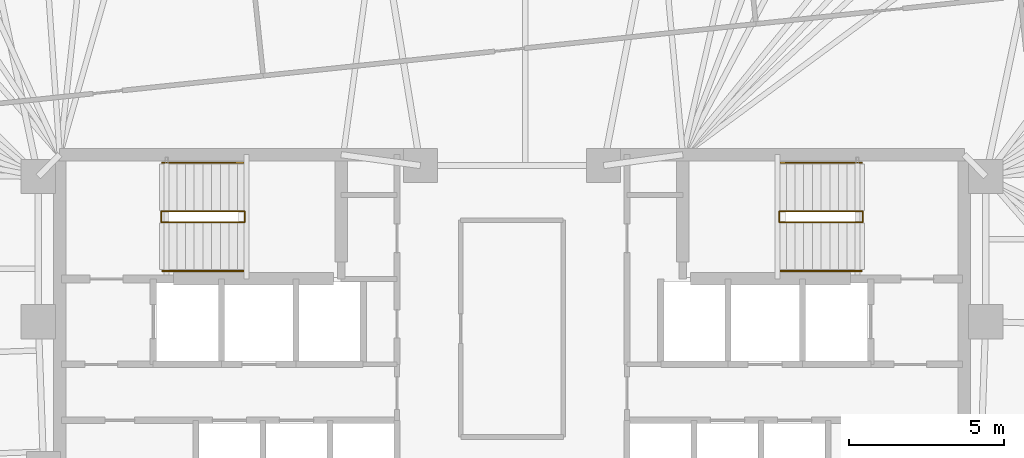
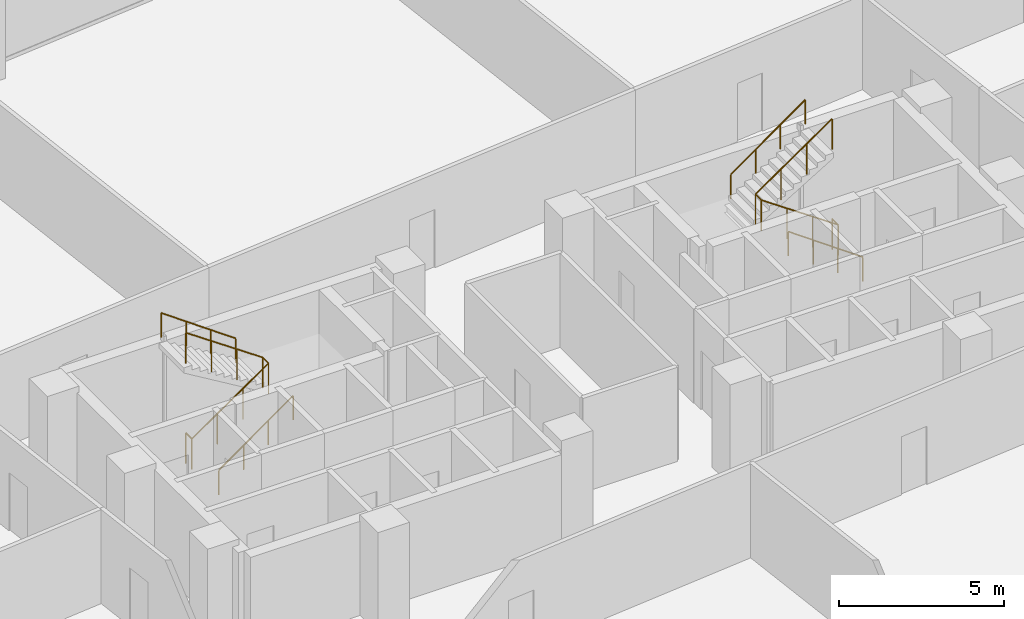
# One storey, part 18 of 18: 6 railings.
"""IFC4 building model written with IfcOpenShell, lengths in metres."""

import ifcopenshell
import ifcopenshell.guid

model = None  # the IFC model being written
_history = None  # IfcOwnerHistory: only IFC2X3 demands one
_inside = {}  # id of a spatial element -> (the spatial element, [elements in it])
_under = {}  # id of a project, library or spatial element -> (it, [spatial elements below it])
_declared = {}  # id of a project -> (the project, [libraries it declares])
_typed = {}  # id of a type object -> (the type object, [elements of that type])
_made_of = {}  # id of a material, layer set ... -> (it, [elements and type objects made of it])


def new_model(schema):
    """Start an empty IFC model of exactly this schema.

    Asked for "IFC4X3", IfcOpenShell would pick the latest addendum, in which some entities
    have other attributes; the version numbers below select the first issue.
    IFC2X3 requires an IfcOwnerHistory on every rooted entity: one is made here for all.
    """
    global model, _history
    if schema == "IFC4X3":
        model = ifcopenshell.file(schema_version=(4, 3, 0, 0))
    else:
        model = ifcopenshell.file(schema=schema)
    _inside.clear()
    _under.clear()
    _declared.clear()
    _typed.clear()
    _made_of.clear()
    _history = None
    if model.schema == "IFC2X3":
        org = make("IfcOrganization", Name="unknown")
        user = make(
            "IfcPersonAndOrganization",
            ThePerson=make("IfcPerson", FamilyName="unknown"),
            TheOrganization=org,
        )
        app = make(
            "IfcApplication",
            ApplicationDeveloper=org,
            Version="unknown",
            ApplicationFullName="unknown",
            ApplicationIdentifier="unknown",
        )
        _history = make(
            "IfcOwnerHistory",
            OwningUser=user,
            OwningApplication=app,
            ChangeAction="ADDED",
            CreationDate=0,
        )
    return model


def make(cls, **values):
    """One entity of the class cls with the attributes given. An attribute that is None is left unset."""
    return model.create_entity(
        cls, **{name: value for name, value in values.items() if value is not None}
    )


def rooted(cls, **values):
    """An entity with a GlobalId (a new one), such as an element, a storey or a relation."""
    return make(cls, GlobalId=ifcopenshell.guid.new(), OwnerHistory=_history, **values)


def si_unit(unit_type, name, prefix=None):
    """IfcSIUnit, for example si_unit("LENGTHUNIT", "METRE", prefix="MILLI")."""
    return make("IfcSIUnit", UnitType=unit_type, Prefix=prefix, Name=name)


def assignment(units):
    """IfcUnitAssignment: the units of a project."""
    return None if units is None else make("IfcUnitAssignment", Units=units)


def point(xyz):
    """IfcCartesianPoint."""
    return None if xyz is None else make("IfcCartesianPoint", Coordinates=xyz)


def direction(xyz):
    """IfcDirection."""
    return None if xyz is None else make("IfcDirection", DirectionRatios=xyz)


def frame(location, z_axis=None, x_axis=None):
    """IfcAxis2Placement3D, a coordinate frame: its origin and axes. An axis left out is left unset."""
    return make(
        "IfcAxis2Placement3D",
        Location=point(location),
        Axis=direction(z_axis),
        RefDirection=direction(x_axis),
    )


def frame_2d(location, x_axis=None):
    """IfcAxis2Placement2D, a coordinate frame in the plane: its origin and x axis."""
    return make(
        "IfcAxis2Placement2D", Location=point(location), RefDirection=direction(x_axis)
    )


def origin():
    """The frame at (0, 0, 0) with its axes left unset."""
    return frame((0.0, 0.0, 0.0))


def origin_2d():
    """The frame at (0, 0) in the plane with its x axis left unset."""
    return frame_2d((0.0, 0.0))


def place(relative_to, where):
    """IfcLocalPlacement: puts the frame where relative to a parent placement (None: the world)."""
    return make(
        "IfcLocalPlacement", PlacementRelTo=relative_to, RelativePlacement=where
    )


def context(
    kind, dimensions, precision=None, world=None, true_north=None, identifier=None
):
    """IfcGeometricRepresentationContext, for example the 3D "Model" context."""
    return make(
        "IfcGeometricRepresentationContext",
        ContextIdentifier=identifier,
        ContextType=kind,
        CoordinateSpaceDimension=dimensions,
        Precision=precision,
        WorldCoordinateSystem=world,
        TrueNorth=true_north,
    )


def subcontext(parent, identifier, kind, view, scale=None):
    """IfcGeometricRepresentationSubContext, for example "Body" below "Model"."""
    return make(
        "IfcGeometricRepresentationSubContext",
        ContextIdentifier=identifier,
        ContextType=kind,
        ParentContext=parent,
        TargetScale=scale,
        TargetView=view,
    )


def project(units=None, contexts=None):
    """IfcProject with its units and contexts."""
    return rooted(
        "IfcProject",
        Name="project",
        RepresentationContexts=contexts,
        UnitsInContext=assignment(units),
    )


def spatial(cls, under=None, at=None, **own):
    """A site, building, storey or space (cls), placed at a placement, below another one or the project."""
    s = rooted(cls, ObjectPlacement=at, **own)
    if under is not None:
        _under.setdefault(under.id(), (under, []))[1].append(s)
    return s


def profile(cls, at=None, kind="AREA", **sizes):
    """A parametric profile (cls). Its sizes go by their IFC names, for example OverallWidth=200.0."""
    return make(cls, ProfileType=kind, Position=at, **sizes)


def circle(**sizes):
    """IfcCircleProfileDef."""
    return profile("IfcCircleProfileDef", **sizes)


def extrude(swept, where, along, depth):
    """IfcExtrudedAreaSolid: the profile swept, set in the frame where, extruded along a direction by depth."""
    return make(
        "IfcExtrudedAreaSolid",
        SweptArea=swept,
        Position=where,
        ExtrudedDirection=direction(along),
        Depth=depth,
    )


def shape(context_of_items, identifier, shape_type, items):
    """IfcShapeRepresentation: the items that make up one representation, for example the "Body"."""
    return make(
        "IfcShapeRepresentation",
        ContextOfItems=context_of_items,
        RepresentationIdentifier=identifier,
        RepresentationType=shape_type,
        Items=items,
    )


def material(Name=None, Category=None):
    """IfcMaterial."""
    return make("IfcMaterial", Name=Name, Category=Category)


def made_of(thing, what):
    """Note that an element or type object is made of a material, layer set ...; save() writes the relation."""
    if what is not None:
        _made_of.setdefault(what.id(), (what, []))[1].append(thing)
    return thing


def type_object(cls, material=None, **own):
    """A type object (cls), such as IfcWallType, which elements share."""
    return made_of(rooted(cls, **own), material)


def element(
    cls,
    number,
    at=None,
    inside=None,
    cuts=None,
    type_object=None,
    material=None,
    context=None,
    identifier="Body",
    shape_type=None,
    held_by="IfcProductDefinitionShape",
    body=None,
    shapes=None,
    **own,
):
    """One element of the class cls, such as IfcWall. Its Tag is "e" and its number.

    at: its placement. inside: the storey or other place that contains it. cuts: it is an
    opening in that element (IfcRelVoidsElement). A single representation is given by context,
    identifier, shape_type and body (its items); several are given by shapes. held_by: the class
    of the entity that holds the representations. save() writes the other relations.
    """
    e = rooted(cls, Tag="e%d" % number, ObjectPlacement=at, **own)
    if body is not None:
        shapes = [shape(context, identifier, shape_type, body)]
    if shapes is not None:
        e.Representation = make(held_by, Representations=shapes)
    if inside is not None:
        _inside.setdefault(inside.id(), (inside, []))[1].append(e)
    if cuts is not None:
        rooted(
            "IfcRelVoidsElement", RelatingBuildingElement=cuts, RelatedOpeningElement=e
        )
    if type_object is not None:
        _typed.setdefault(type_object.id(), (type_object, []))[1].append(e)
    return made_of(e, material)


def aggregate(whole, parts):
    """IfcRelAggregates: a whole, such as a stair, and the parts it consists of."""
    return rooted("IfcRelAggregates", RelatingObject=whole, RelatedObjects=parts)


def save(model, path):
    """Write the relations noted so far, then the file.

    IfcRelAggregates (storeys below a building ...), IfcRelContainedInSpatialStructure (elements
    in a storey), IfcRelDefinesByType, IfcRelAssociatesMaterial and IfcRelDeclares: one each for
    every whole, place, type object, material and project.
    """
    for whole, parts in _under.values():
        aggregate(whole, parts)
    for where, things in _inside.values():
        rooted(
            "IfcRelContainedInSpatialStructure",
            RelatedElements=things,
            RelatingStructure=where,
        )
    for kind, things in _typed.values():
        rooted("IfcRelDefinesByType", RelatedObjects=things, RelatingType=kind)
    for what, things in _made_of.values():
        rooted("IfcRelAssociatesMaterial", RelatedObjects=things, RelatingMaterial=what)
    for by, libraries in _declared.values():
        rooted("IfcRelDeclares", RelatingContext=by, RelatedDefinitions=libraries)
    model.write(path)


model = new_model("IFC4")

# Units and contexts
model_context = context("Model", 3, precision=1e-05, world=origin(), true_north=direction((0.0, 1.0)))
body_context = subcontext(model_context, "Body", "Model", "MODEL_VIEW")
ifc_project = project(units=[si_unit("LENGTHUNIT", "METRE"), si_unit("AREAUNIT", "SQUARE_METRE"), si_unit("VOLUMEUNIT", "CUBIC_METRE"), si_unit("PLANEANGLEUNIT", "RADIAN"), si_unit("MASSUNIT", "GRAM", prefix="KILO")], contexts=[model_context])

# Site, building, storey
site_placement = place(None, origin())
site = spatial("IfcSite", under=ifc_project, at=site_placement, CompositionType="ELEMENT")
building_placement = place(site_placement, origin())
building = spatial("IfcBuilding", under=site, at=building_placement, Name="Menara Jurai Vektor", CompositionType="ELEMENT")
storey_placement = place(building_placement, frame((0.0, 0.0, 94.800048828125)))
storey = spatial("IfcBuildingStorey", under=building, at=storey_placement, Name="L23", CompositionType="ELEMENT", Elevation=94.800048828125)

# Railings
ifc_material_1 = material(Name="Painted Galvanised Steel Balustrade", Category="steel")
railing_type_1 = type_object("IfcRailingType", Name="RAIL-STAIR-GUARD", PredefinedType="GUARDRAIL", material=ifc_material_1)
railing_1_placement = place(storey_placement, frame((-11.2900390625, 3.780029296875, 0.0)))
element("IfcRailing", 1, at=railing_1_placement, inside=storey, type_object=railing_type_1, Name="ST1 Stair Guardrail 1 L23", PredefinedType="GUARDRAIL", context=body_context, shape_type="SweptSolid", body=[
    extrude(circle(Radius=0.02392578125, at=origin_2d()), frame((0.0, 0.0, 1.1259765625), z_axis=(0.0, -1.0, 0.0), x_axis=(1.0, 0.0, 0.0)), (0.0, 0.0, 1.0), 0.360107421875),
    extrude(circle(Radius=0.02392578125, at=origin_2d()), frame((0.0, -0.360107421875, 1.1259765625), z_axis=(0.822979520584, 0.0, 0.568071041948), x_axis=(0.0, 1.0, 0.0)), (0.0, 0.0, 1.0), 3.25634765625),
    extrude(circle(Radius=0.02392578125, at=origin_2d()), frame((2.679931640625, -0.360107421875, 2.9755859375), z_axis=(0.0, 1.0, 0.0), x_axis=(-1.0, 0.0, 0.0)), (0.0, 0.0, 1.0), 0.360107421875),
    extrude(circle(Radius=0.02392578125, at=origin_2d()), frame((2.679931640625, 0.0, 2.9755859375), z_axis=(-0.822944469782, 0.0, 0.568121817619), x_axis=(0.0, -1.0, 0.0)), (0.0, 0.0, 1.0), 3.256591796875),
    extrude(circle(Radius=0.02099609375, at=origin_2d()), origin(), (0.0, 0.0, 1.0), 1.101806640625),
    extrude(circle(Radius=0.02099609375, at=origin_2d()), frame((0.0, -0.360107421875, 0.0)), (0.0, 0.0, 1.0), 1.101806640625),
    extrude(circle(Radius=0.02099609375, at=origin_2d()), frame((0.893310546875, -0.360107421875, 0.61669921875)), (0.0, 0.0, 1.0), 1.101806640625),
    extrude(circle(Radius=0.02099609375, at=origin_2d()), frame((1.78662109375, -0.360107421875, 1.233154296875)), (0.0, 0.0, 1.0), 1.101806640625),
    extrude(circle(Radius=0.02099609375, at=origin_2d()), frame((2.679931640625, -0.360107421875, 1.849853515625)), (0.0, 0.0, 1.0), 1.101806640625),
    extrude(circle(Radius=0.02099609375, at=origin_2d()), frame((2.679931640625, 0.0, 1.849853515625)), (0.0, 0.0, 1.0), 1.101806640625),
    extrude(circle(Radius=0.02099609375, at=origin_2d()), frame((1.78662109375, 0.0, 2.466552734375)), (0.0, 0.0, 1.0), 1.101806640625),
    extrude(circle(Radius=0.02099609375, at=origin_2d()), frame((0.893310546875, 0.0, 3.083251953125)), (0.0, 0.0, 1.0), 1.101806640625),
    extrude(circle(Radius=0.02099609375, at=origin_2d()), frame((0.0, 0.0, 3.699951171875)), (0.0, 0.0, 1.0), 1.101806640625),
])
railing_2_placement = place(storey_placement, frame((11.2900390625, 3.780029296875, 0.0)))
element("IfcRailing", 2, at=railing_2_placement, inside=storey, type_object=railing_type_1, Name="ST2 Stair Guardrail 1 L23", PredefinedType="GUARDRAIL", context=body_context, shape_type="SweptSolid", body=[
    extrude(circle(Radius=0.02392578125, at=origin_2d()), frame((0.0, 0.0, 1.1259765625), z_axis=(0.0, -1.0, 0.0), x_axis=(1.0, 0.0, 0.0)), (0.0, 0.0, 1.0), 0.360107421875),
    extrude(circle(Radius=0.02392578125, at=origin_2d()), frame((0.0, -0.360107421875, 1.1259765625), z_axis=(-0.822979520584, 0.0, 0.568071041948), x_axis=(0.0, -1.0, 0.0)), (0.0, 0.0, 1.0), 3.25634765625),
    extrude(circle(Radius=0.02392578125, at=origin_2d()), frame((-2.679931640625, -0.360107421875, 2.9755859375), z_axis=(0.0, 1.0, 0.0), x_axis=(-1.0, 0.0, 0.0)), (0.0, 0.0, 1.0), 0.360107421875),
    extrude(circle(Radius=0.02392578125, at=origin_2d()), frame((-2.679931640625, 0.0, 2.9755859375), z_axis=(0.822944469782, 0.0, 0.568121817619), x_axis=(0.0, 1.0, 0.0)), (0.0, 0.0, 1.0), 3.256591796875),
    extrude(circle(Radius=0.02099609375, at=origin_2d()), origin(), (0.0, 0.0, 1.0), 1.101806640625),
    extrude(circle(Radius=0.02099609375, at=origin_2d()), frame((0.0, -0.360107421875, 0.0)), (0.0, 0.0, 1.0), 1.101806640625),
    extrude(circle(Radius=0.02099609375, at=origin_2d()), frame((-0.893310546875, -0.360107421875, 0.61669921875)), (0.0, 0.0, 1.0), 1.101806640625),
    extrude(circle(Radius=0.02099609375, at=origin_2d()), frame((-1.78662109375, -0.360107421875, 1.233154296875)), (0.0, 0.0, 1.0), 1.101806640625),
    extrude(circle(Radius=0.02099609375, at=origin_2d()), frame((-2.679931640625, -0.360107421875, 1.849853515625)), (0.0, 0.0, 1.0), 1.101806640625),
    extrude(circle(Radius=0.02099609375, at=origin_2d()), frame((-2.679931640625, 0.0, 1.849853515625)), (0.0, 0.0, 1.0), 1.101806640625),
    extrude(circle(Radius=0.02099609375, at=origin_2d()), frame((-1.78662109375, 0.0, 2.466552734375)), (0.0, 0.0, 1.0), 1.101806640625),
    extrude(circle(Radius=0.02099609375, at=origin_2d()), frame((-0.893310546875, 0.0, 3.083251953125)), (0.0, 0.0, 1.0), 1.101806640625),
    extrude(circle(Radius=0.02099609375, at=origin_2d()), frame((0.0, 0.0, 3.699951171875)), (0.0, 0.0, 1.0), 1.101806640625),
])
ifc_material_2 = material(Name="Brushed Stainless Steel Handrail", Category="steel")
railing_type_2 = type_object("IfcRailingType", Name="RAIL-STAIR-HAND", PredefinedType="HANDRAIL", material=ifc_material_2)
railing_3_placement = place(storey_placement, frame((-11.25, 1.860107421875, 0.0)))
element("IfcRailing", 3, at=railing_3_placement, inside=storey, type_object=railing_type_2, Name="ST1 Stair Handrail 1 L23", PredefinedType="HANDRAIL", context=body_context, shape_type="SweptSolid", body=[
    extrude(circle(Radius=0.02392578125, at=origin_2d()), frame((0.0, 0.0, 0.89599609375), z_axis=(0.814822811145, 0.0, 0.579710088267), x_axis=(0.0, 1.0, 0.0)), (0.0, 0.0, 1.0), 3.19091796875),
    extrude(circle(Radius=0.02099609375, at=origin_2d()), origin(), (0.0, 0.0, 1.0), 0.871826171875),
    extrude(circle(Radius=0.02099609375, at=origin_2d()), frame((0.86669921875, 0.0, 0.61669921875)), (0.0, 0.0, 1.0), 0.871826171875),
    extrude(circle(Radius=0.02099609375, at=origin_2d()), frame((1.7333984375, 0.0, 1.233154296875)), (0.0, 0.0, 1.0), 0.871826171875),
    extrude(circle(Radius=0.02099609375, at=origin_2d()), frame((2.60009765625, 0.0, 1.849853515625)), (0.0, 0.0, 1.0), 0.871826171875),
])
railing_4_placement = place(storey_placement, frame((-8.64990234375, 5.340087890625, 1.849853515625)))
element("IfcRailing", 4, at=railing_4_placement, inside=storey, type_object=railing_type_2, Name="ST1 Stair Handrail 2 L23", PredefinedType="HANDRAIL", context=body_context, shape_type="SweptSolid", body=[
    extrude(circle(Radius=0.02392578125, at=origin_2d()), frame((0.0, 0.0, 0.89599609375), z_axis=(-0.814786671209, 0.0, 0.579760882106), x_axis=(0.0, -1.0, 0.0)), (0.0, 0.0, 1.0), 3.191162109375),
    extrude(circle(Radius=0.02099609375, at=origin_2d()), origin(), (0.0, 0.0, 1.0), 0.871826171875),
    extrude(circle(Radius=0.02099609375, at=origin_2d()), frame((-0.86669921875, 0.0, 0.61669921875)), (0.0, 0.0, 1.0), 0.871826171875),
    extrude(circle(Radius=0.02099609375, at=origin_2d()), frame((-1.7333984375, 0.0, 1.2333984375)), (0.0, 0.0, 1.0), 0.871826171875),
    extrude(circle(Radius=0.02099609375, at=origin_2d()), frame((-2.60009765625, 0.0, 1.85009765625)), (0.0, 0.0, 1.0), 0.871826171875),
])
railing_5_placement = place(storey_placement, frame((11.25, 1.860107421875, 0.0)))
element("IfcRailing", 5, at=railing_5_placement, inside=storey, type_object=railing_type_2, Name="ST2 Stair Handrail 1 L23", PredefinedType="HANDRAIL", context=body_context, shape_type="SweptSolid", body=[
    extrude(circle(Radius=0.02392578125, at=origin_2d()), frame((0.0, 0.0, 0.89599609375), z_axis=(-0.814822811145, 0.0, 0.579710088267), x_axis=(0.0, -1.0, 0.0)), (0.0, 0.0, 1.0), 3.19091796875),
    extrude(circle(Radius=0.02099609375, at=origin_2d()), origin(), (0.0, 0.0, 1.0), 0.871826171875),
    extrude(circle(Radius=0.02099609375, at=origin_2d()), frame((-0.86669921875, 0.0, 0.61669921875)), (0.0, 0.0, 1.0), 0.871826171875),
    extrude(circle(Radius=0.02099609375, at=origin_2d()), frame((-1.7333984375, 0.0, 1.233154296875)), (0.0, 0.0, 1.0), 0.871826171875),
    extrude(circle(Radius=0.02099609375, at=origin_2d()), frame((-2.60009765625, 0.0, 1.849853515625)), (0.0, 0.0, 1.0), 0.871826171875),
])
railing_6_placement = place(storey_placement, frame((8.64990234375, 5.340087890625, 1.849853515625)))
element("IfcRailing", 6, at=railing_6_placement, inside=storey, type_object=railing_type_2, Name="ST2 Stair Handrail 2 L23", PredefinedType="HANDRAIL", context=body_context, shape_type="SweptSolid", body=[
    extrude(circle(Radius=0.02392578125, at=origin_2d()), frame((0.0, 0.0, 0.89599609375), z_axis=(0.814786671209, 0.0, 0.579760882106), x_axis=(0.0, 1.0, 0.0)), (0.0, 0.0, 1.0), 3.191162109375),
    extrude(circle(Radius=0.02099609375, at=origin_2d()), origin(), (0.0, 0.0, 1.0), 0.871826171875),
    extrude(circle(Radius=0.02099609375, at=origin_2d()), frame((0.86669921875, 0.0, 0.61669921875)), (0.0, 0.0, 1.0), 0.871826171875),
    extrude(circle(Radius=0.02099609375, at=origin_2d()), frame((1.7333984375, 0.0, 1.2333984375)), (0.0, 0.0, 1.0), 0.871826171875),
    extrude(circle(Radius=0.02099609375, at=origin_2d()), frame((2.60009765625, 0.0, 1.85009765625)), (0.0, 0.0, 1.0), 0.871826171875),
])

save(model, "model.ifc")
